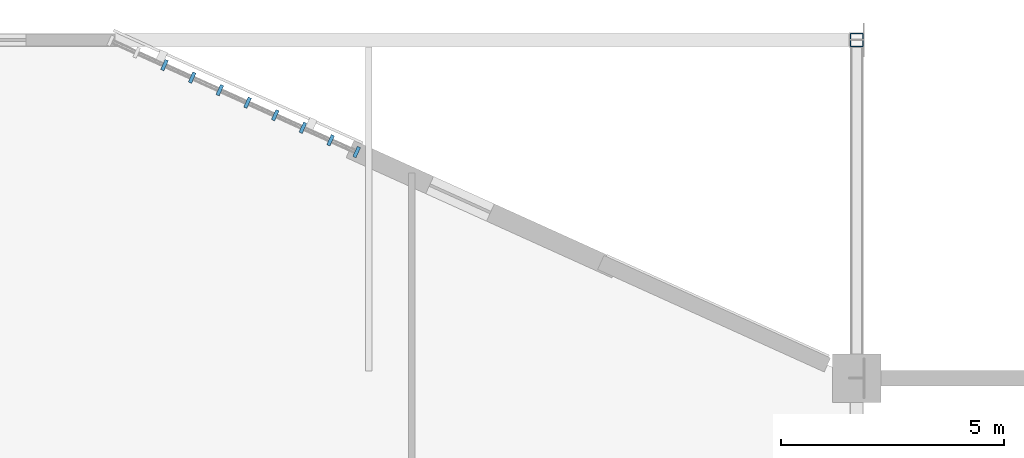
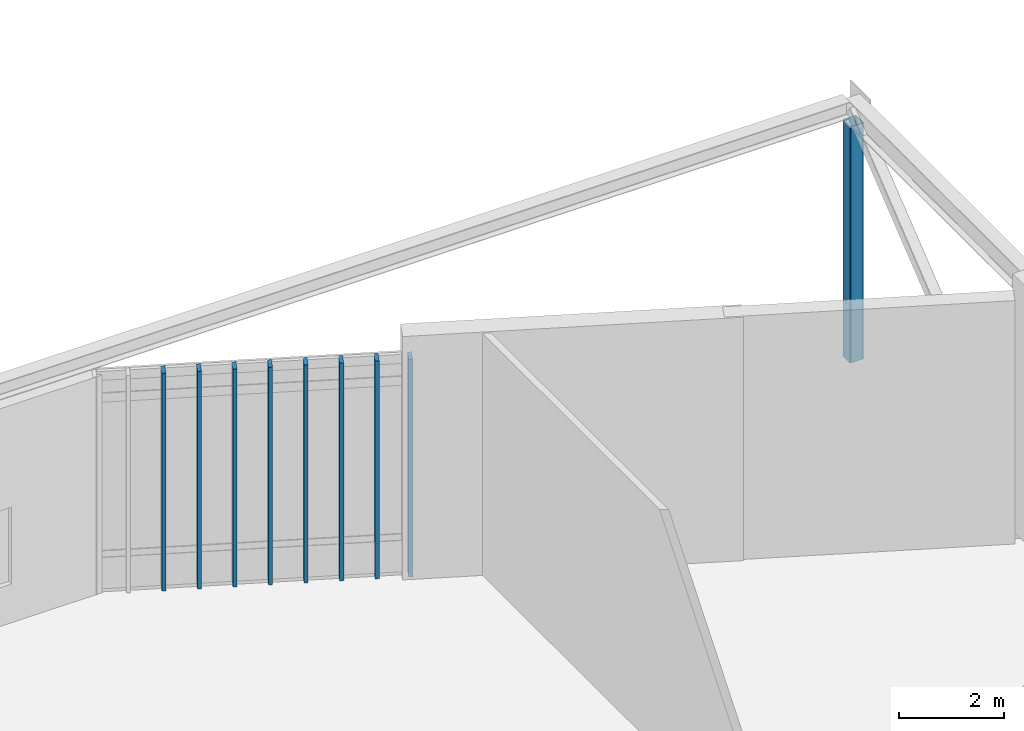
# One storey, part 37 of 135: 9 members, 1 element without a shape of its own.
"""IFC4 building model written with IfcOpenShell, lengths in metres."""

from ifc_helpers import new_model, si_unit, direction, frame, origin, origin_2d, place, context, subcontext, project, spatial, rectangle, hollow_rectangle, extrude, material, material_profile, profile_set, type_object, element, aggregate, save


model = new_model("IFC4")

# Units and contexts
model_context = context("Model", 3, precision=1e-05, world=origin(), true_north=direction((0.0, 1.0)))
body_context = subcontext(model_context, "Body", "Model", "MODEL_VIEW")
ifc_project = project(units=[si_unit("LENGTHUNIT", "METRE"), si_unit("AREAUNIT", "SQUARE_METRE"), si_unit("VOLUMEUNIT", "CUBIC_METRE"), si_unit("PLANEANGLEUNIT", "RADIAN"), si_unit("MASSUNIT", "GRAM", prefix="KILO")], contexts=[model_context])

# Site, building, storey
site_placement = place(None, origin())
site = spatial("IfcSite", under=ifc_project, at=site_placement, CompositionType="ELEMENT")
building_placement = place(site_placement, origin())
building = spatial("IfcBuilding", under=site, at=building_placement, Name="Larkvane Passage Sports Hall", CompositionType="ELEMENT")
storey_placement = place(building_placement, frame((0.0, 0.0, 10.800048828125)))
storey = spatial("IfcBuildingStorey", under=building, at=storey_placement, Name="L02", CompositionType="ELEMENT", Elevation=10.800048828125)

# Curtain wall, members
ifc_material_1 = material(Name="Thermally broken aluminium and low-E glazing", Category="aluminium")
curtain_wall_type = type_object("IfcCurtainWallType", Name="CW-STICK-FOYER", PredefinedType="USERDEFINED", material=ifc_material_1)
curtain_wall_placement = place(storey_placement, origin())
curtain_wall = element("IfcCurtainWall", 1, at=curtain_wall_placement, inside=storey, type_object=curtain_wall_type, Name="Curtain wall CW5-L02-078", ObjectType="STICK CURTAIN WALL", PredefinedType="USERDEFINED")
ifc_material_2 = material(Name="Anodised aluminium 6063-T6", Category="aluminium")
ifc_material_profile_1 = material_profile(ifc_material_2, rectangle(XDim=0.080078125, YDim=0.25, at=origin_2d()), Name="ALU-MUL-80x250")
ifc_profile_set_1 = profile_set([ifc_material_profile_1], Name="Anodised aluminium 6063-T6")
member_type_1 = type_object("IfcMemberType", Name="CW-MUL-80x250", PredefinedType="MULLION", material=ifc_profile_set_1)
member_1_placement = place(storey_placement, frame((78.04443359375, 106.237060546875, 0.0), z_axis=(0.0, 0.0, 1.0), x_axis=(0.911109959422, -0.412163367903, 0.0)))
member_1 = element("IfcMember", 2, at=member_1_placement, type_object=member_type_1, Name="CW-03 mullion 3", PredefinedType="MULLION", context=body_context, shape_type="SweptSolid", body=[
    extrude(rectangle(XDim=0.080078125, YDim=0.25, at=origin_2d()), origin(), (0.0, 0.0, 1.0), 5.079833984375),
])
member_2_placement = place(storey_placement, frame((78.666748046875, 105.95556640625, 0.0), z_axis=(0.0, 0.0, 1.0), x_axis=(0.911109959422, -0.412163367903, 0.0)))
member_2 = element("IfcMember", 3, at=member_2_placement, type_object=member_type_1, Name="CW-03 mullion 4", PredefinedType="MULLION", context=body_context, shape_type="SweptSolid", body=[
    extrude(rectangle(XDim=0.080078125, YDim=0.25, at=origin_2d()), origin(), (0.0, 0.0, 1.0), 5.079833984375),
])
member_3_placement = place(storey_placement, frame((79.288818359375, 105.674072265625, 0.0), z_axis=(0.0, 0.0, 1.0), x_axis=(0.911109959422, -0.412163367903, 0.0)))
member_3 = element("IfcMember", 4, at=member_3_placement, type_object=member_type_1, Name="CW-03 mullion 5", PredefinedType="MULLION", context=body_context, shape_type="SweptSolid", body=[
    extrude(rectangle(XDim=0.080078125, YDim=0.25, at=origin_2d()), origin(), (0.0, 0.0, 1.0), 5.079833984375),
])
member_4_placement = place(storey_placement, frame((79.9111328125, 105.392578125, 0.0), z_axis=(0.0, 0.0, 1.0), x_axis=(0.911109959422, -0.412163367903, 0.0)))
member_4 = element("IfcMember", 5, at=member_4_placement, type_object=member_type_1, Name="CW-03 mullion 6", PredefinedType="MULLION", context=body_context, shape_type="SweptSolid", body=[
    extrude(rectangle(XDim=0.080078125, YDim=0.25, at=origin_2d()), origin(), (0.0, 0.0, 1.0), 5.079833984375),
])
member_5_placement = place(storey_placement, frame((80.533447265625, 105.111083984375, 0.0), z_axis=(0.0, 0.0, 1.0), x_axis=(0.911109959422, -0.412163367903, 0.0)))
member_5 = element("IfcMember", 6, at=member_5_placement, type_object=member_type_1, Name="CW-03 mullion 7", PredefinedType="MULLION", context=body_context, shape_type="SweptSolid", body=[
    extrude(rectangle(XDim=0.080078125, YDim=0.25, at=origin_2d()), origin(), (0.0, 0.0, 1.0), 5.079833984375),
])
member_6_placement = place(storey_placement, frame((81.155517578125, 104.82958984375, 0.0), z_axis=(0.0, 0.0, 1.0), x_axis=(0.911109959422, -0.412163367903, 0.0)))
member_6 = element("IfcMember", 7, at=member_6_placement, type_object=member_type_1, Name="CW-03 mullion 8", PredefinedType="MULLION", context=body_context, shape_type="SweptSolid", body=[
    extrude(rectangle(XDim=0.080078125, YDim=0.25, at=origin_2d()), origin(), (0.0, 0.0, 1.0), 5.079833984375),
])
member_7_placement = place(storey_placement, frame((81.77783203125, 104.548095703125, 0.0), z_axis=(0.0, 0.0, 1.0), x_axis=(0.911109959422, -0.412163367903, 0.0)))
member_7 = element("IfcMember", 8, at=member_7_placement, type_object=member_type_1, Name="CW-03 mullion 9", PredefinedType="MULLION", context=body_context, shape_type="SweptSolid", body=[
    extrude(rectangle(XDim=0.080078125, YDim=0.25, at=origin_2d()), origin(), (0.0, 0.0, 1.0), 5.079833984375),
])
member_8_placement = place(storey_placement, frame((82.363525390625, 104.283203125, 0.0), z_axis=(0.0, 0.0, 1.0), x_axis=(0.911109959422, -0.412163367903, 0.0)))
member_8 = element("IfcMember", 9, at=member_8_placement, type_object=member_type_1, Name="CW-03 mullion 10", PredefinedType="MULLION", context=body_context, shape_type="SweptSolid", body=[
    extrude(rectangle(XDim=0.080078125, YDim=0.25, at=origin_2d()), origin(), (0.0, 0.0, 1.0), 5.079833984375),
])
aggregate(curtain_wall, [member_1, member_2, member_3, member_4, member_5, member_6, member_7, member_8])

# Member
ifc_material_3 = material(Name="Steel S460N", Category="steel")
ifc_material_profile_2 = material_profile(ifc_material_3, hollow_rectangle(XDim=0.300048828125, YDim=0.300048828125, WallThickness=0.011962890625, InnerFilletRadius=0.011962890625, OuterFilletRadius=0.02392578125, at=origin_2d()), Name="SHS-300x300x12")
ifc_profile_set_2 = profile_set([ifc_material_profile_2], Name="Steel S460N")
member_type_2 = type_object("IfcMemberType", Name="MBR-ST-SHS300", PredefinedType="STRUT", material=ifc_profile_set_2)
member_9_placement = place(storey_placement, frame((93.60009765625, 106.800048828125, -0.420166015625), z_axis=(0.0, 0.0, 1.0), x_axis=(1.0, 0.0, 0.0)))
element("IfcMember", 10, at=member_9_placement, inside=storey, type_object=member_type_2, Name="Cantilever truss CT-N2A-2 vertical post 4", PredefinedType="STRUT", context=body_context, shape_type="SweptSolid", body=[
    extrude(hollow_rectangle(XDim=0.300048828125, YDim=0.300048828125, WallThickness=0.011962890625, InnerFilletRadius=0.011962890625, OuterFilletRadius=0.02392578125, at=origin_2d()), origin(), (0.0, 0.0, 1.0), 5.51220703125),
])

save(model, "model.ifc")
